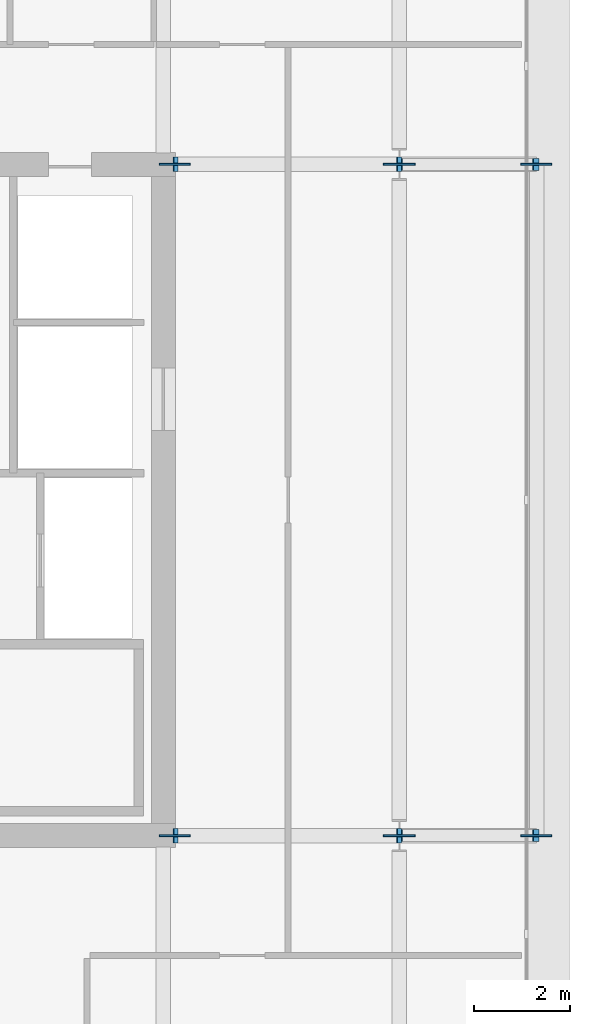
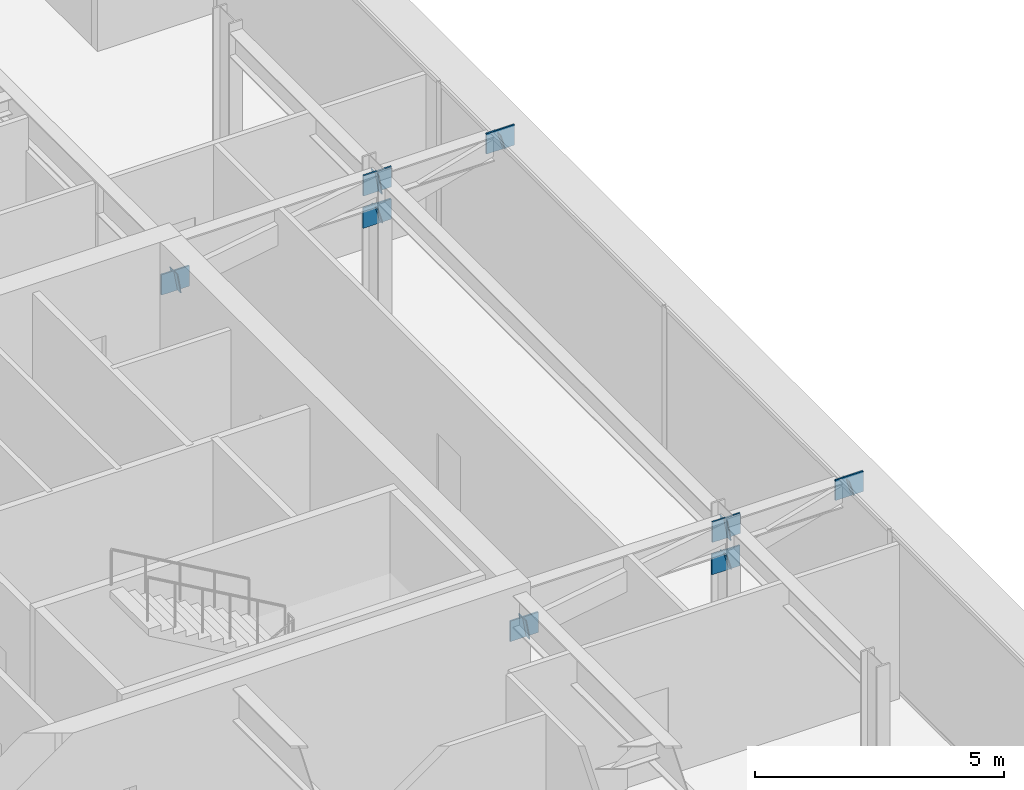
# One storey, part 12 of 20: 16 plates.
"""IFC4 building model written with IfcOpenShell, lengths in metres."""

from ifc_helpers import new_model, si_unit, direction, frame, origin, origin_2d, place, context, subcontext, project, spatial, rectangle, extrude, material, layer, layer_set, type_object, element, save


model = new_model("IFC4")

# Units and contexts
model_context = context("Model", 3, precision=1e-05, world=origin(), true_north=direction((0.0, 1.0)))
body_context = subcontext(model_context, "Body", "Model", "MODEL_VIEW")
ifc_project = project(units=[si_unit("LENGTHUNIT", "METRE"), si_unit("AREAUNIT", "SQUARE_METRE"), si_unit("VOLUMEUNIT", "CUBIC_METRE"), si_unit("PLANEANGLEUNIT", "RADIAN"), si_unit("MASSUNIT", "GRAM", prefix="KILO")], contexts=[model_context])

# Site, building, storey
site_placement = place(None, origin())
site = spatial("IfcSite", under=ifc_project, at=site_placement, CompositionType="ELEMENT")
building_placement = place(site_placement, origin())
building = spatial("IfcBuilding", under=site, at=building_placement, Name="Putna Gate Headquarters", CompositionType="ELEMENT")
storey_placement = place(building_placement, frame((0.0, 0.0, 282.39990234375)))
storey = spatial("IfcBuildingStorey", under=building, at=storey_placement, Name="L71", CompositionType="ELEMENT", Elevation=282.39990234375)

# Plates
ifc_material_1 = material(Name="Steel S355J2", Category="steel")
ifc_layer_1 = layer(ifc_material_1, 0.02001953125)
ifc_layer_set_1 = layer_set([ifc_layer_1], Name="Steel S355J2")
plate_type_1 = type_object("IfcPlateType", Name="PLT-CAP-EC-R400", PredefinedType="SHEET", material=ifc_layer_set_1)
for number, where, z_axis, x_axis, name in (
    (1, (69.9150390625, 19.0, 2.75), (0.960136007106, 0.0, 0.279533267892), (0.0, 1.0, 0.0), "L71 East Sail Cantilever Raker Y19 End Cap Start"),
    (2, (72.755859375, 19.0, 3.5625), (0.960136007106, 0.0, 0.279533267892), (0.0, 1.0, 0.0), "L71 East Sail Cantilever Raker Y19 End Cap End"),
    (3, (69.9150390625, 33.0, 2.75), (0.960136007106, 0.0, 0.279533267892), (0.0, 1.0, 0.0), "L71 East Sail Cantilever Raker Y33 End Cap Start"),
    (4, (72.755859375, 33.0, 3.5625), (0.960136007106, 0.0, 0.279533267892), (0.0, 1.0, 0.0), "L71 East Sail Cantilever Raker Y33 End Cap End"),
):
    element("IfcPlate", number, at=place(storey_placement, frame(where, z_axis=z_axis, x_axis=x_axis)), inside=storey, type_object=plate_type_1, Name=name, PredefinedType="SHEET", context=body_context, shape_type="SweptSolid", body=[
        extrude(rectangle(XDim=0.25, YDim=0.39990234375, at=origin_2d()), origin(), (0.0, 0.0, 1.0), 0.02001953125),
    ])
ifc_layer_2 = layer(ifc_material_1, 0.02001953125)
ifc_layer_set_2 = layer_set([ifc_layer_2], Name="Steel S355J2")
plate_type_2 = type_object("IfcPlateType", Name="PLT-CAP-EC-R500", PredefinedType="SHEET", material=ifc_layer_set_2)
for number, where, z_axis, x_axis, name in (
    (5, (65.239990234375, 19.0, 2.75), (0.985389793052, 0.0, 0.170314285219), (0.0, 1.0, 0.0), "L71 East Sail Transfer Arc Strut Y19 End Cap Start"),
    (6, (69.9052734375, 19.0, 3.53466796875), (0.985389793052, 0.0, 0.170314285219), (0.0, 1.0, 0.0), "L71 East Sail Transfer Arc Strut Y19 End Cap End"),
    (7, (65.239990234375, 33.0, 2.75), (0.985389793052, 0.0, 0.170314285219), (0.0, 1.0, 0.0), "L71 East Sail Transfer Arc Strut Y33 End Cap Start"),
    (8, (69.9052734375, 33.0, 3.53466796875), (0.985389793052, 0.0, 0.170314285219), (0.0, 1.0, 0.0), "L71 East Sail Transfer Arc Strut Y33 End Cap End"),
):
    element("IfcPlate", number, at=place(storey_placement, frame(where, z_axis=z_axis, x_axis=x_axis)), inside=storey, type_object=plate_type_2, Name=name, PredefinedType="SHEET", context=body_context, shape_type="SweptSolid", body=[
        extrude(rectangle(XDim=0.300048828125, YDim=0.5, at=origin_2d()), origin(), (0.0, 0.0, 1.0), 0.02001953125),
    ])
ifc_material_2 = material(Name="Steel S460M", Category="steel")
ifc_layer_3 = layer(ifc_material_2, 0.0380859375)
ifc_layer_set_3 = layer_set([ifc_layer_3], Name="Steel S460M")
plate_type_3 = type_object("IfcPlateType", Name="PLT-NODE-TN1", PredefinedType="SHEET", material=ifc_layer_set_3)
for number, where, z_axis, x_axis, name in (
    (9, (65.239990234375, 19.0, 2.5), (0.0, 0.0, 1.0), (1.0, 0.0, 0.0), "L71 Sail Transfer Node Plate TN1 Y19-1"),
    (10, (69.925048828125, 19.0, 3.2880859375), (0.0, 0.0, 1.0), (1.0, 0.0, 0.0), "L71 Sail Transfer Node Plate TN1 Y19-2"),
    (11, (69.9150390625, 19.0, 2.5), (0.0, 0.0, 1.0), (1.0, 0.0, 0.0), "L71 Sail Raker Node Plate TN1 Y19-1"),
    (12, (72.775146484375, 19.0, 3.318115234375), (0.0, 0.0, 1.0), (1.0, 0.0, 0.0), "L71 Sail Raker Node Plate TN1 Y19-2"),
    (13, (65.239990234375, 33.0, 2.5), (0.0, 0.0, 1.0), (1.0, 0.0, 0.0), "L71 Sail Transfer Node Plate TN1 Y33-1"),
    (14, (69.925048828125, 33.0, 3.2880859375), (0.0, 0.0, 1.0), (1.0, 0.0, 0.0), "L71 Sail Transfer Node Plate TN1 Y33-2"),
    (15, (69.9150390625, 33.0, 2.5), (0.0, 0.0, 1.0), (1.0, 0.0, 0.0), "L71 Sail Raker Node Plate TN1 Y33-1"),
    (16, (72.775146484375, 33.0, 3.318115234375), (0.0, 0.0, 1.0), (1.0, 0.0, 0.0), "L71 Sail Raker Node Plate TN1 Y33-2"),
):
    element("IfcPlate", number, at=place(storey_placement, frame(where, z_axis=z_axis, x_axis=x_axis)), inside=storey, type_object=plate_type_3, Name=name, PredefinedType="SHEET", context=body_context, shape_type="SweptSolid", body=[
        extrude(rectangle(XDim=0.64990234375, YDim=0.0380859375, at=origin_2d()), origin(), (0.0, 0.0, 1.0), 0.5),
    ])

save(model, "model.ifc")
